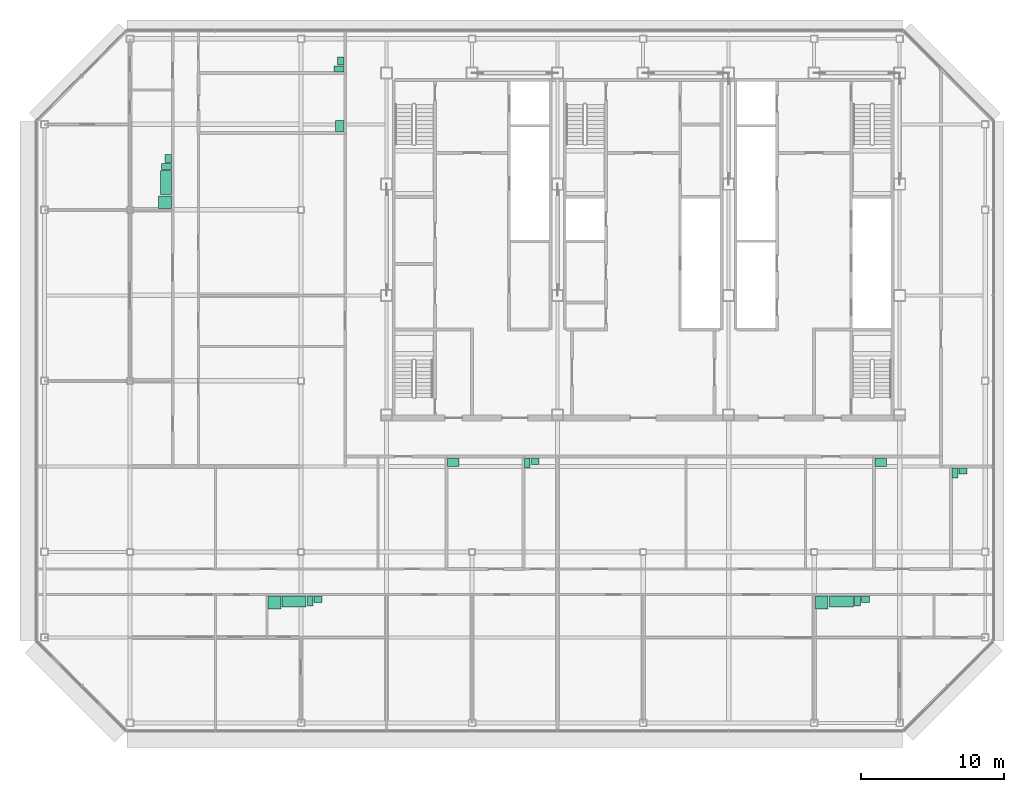
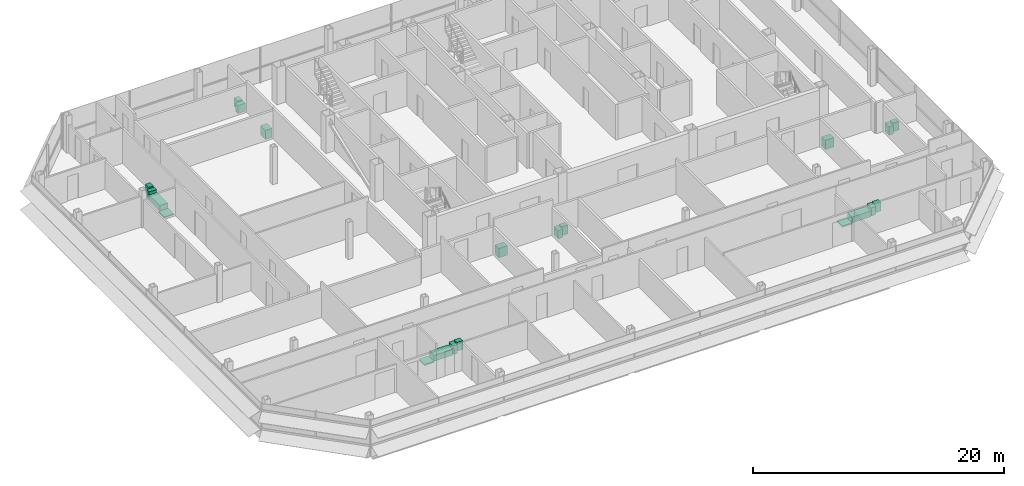
# One storey, part 27 of 27: 21 sanitary terminals.
"""IFC4 building model written with IfcOpenShell, lengths in metres."""

from ifc_helpers import new_model, si_unit, direction, frame, origin, origin_2d, place, context, subcontext, project, spatial, rectangle, extrude, element, save


model = new_model("IFC4")

# Units and contexts
model_context = context("Model", 3, precision=1e-05, world=origin(), true_north=direction((0.0, 1.0)))
body_context = subcontext(model_context, "Body", "Model", "MODEL_VIEW")
ifc_project = project(units=[si_unit("LENGTHUNIT", "METRE"), si_unit("AREAUNIT", "SQUARE_METRE"), si_unit("VOLUMEUNIT", "CUBIC_METRE"), si_unit("PLANEANGLEUNIT", "RADIAN"), si_unit("MASSUNIT", "GRAM", prefix="KILO")], contexts=[model_context])

# Site, building, storey
site_placement = place(None, origin())
site = spatial("IfcSite", under=ifc_project, at=site_placement, CompositionType="ELEMENT")
building_placement = place(site_placement, origin())
building = spatial("IfcBuilding", under=site, at=building_placement, Name="Sorahane Residences", CompositionType="ELEMENT")
storey_placement = place(building_placement, frame((0.0, 0.0, 312.39990234375)))
storey = spatial("IfcBuildingStorey", under=building, at=storey_placement, Name="L74", CompositionType="ELEMENT", Elevation=312.39990234375)

# Sanitary terminals
sanitary_terminal_1_placement = place(storey_placement, frame((-1.8701171875, 8.449951171875, 0.0), z_axis=(0.0, 0.0, 1.0), x_axis=(1.0, 0.0, 0.0)))
element("IfcSanitaryTerminal", 1, at=sanitary_terminal_1_placement, inside=storey, Name="Shower tray En-suite bathroom 74A", PredefinedType="SHOWER", context=body_context, shape_type="SweptSolid", body=[
    extrude(rectangle(XDim=0.89990234375, YDim=0.89990234375, at=origin_2d()), origin(), (0.0, 0.0, 1.0), 0.1201171875),
])
sanitary_terminal_2_placement = place(storey_placement, frame((-0.489990234375, 8.52490234375, 0.0), z_axis=(0.0, 0.0, 1.0), x_axis=(1.0, 0.0, 0.0)))
element("IfcSanitaryTerminal", 2, at=sanitary_terminal_2_placement, inside=storey, Name="Bath En-suite bathroom 74A", PredefinedType="BATH", context=body_context, shape_type="SweptSolid", body=[
    extrude(rectangle(XDim=1.699951171875, YDim=0.75, at=origin_2d()), origin(), (0.0, 0.0, 1.0), 0.56005859375),
])
sanitary_terminal_3_placement = place(storey_placement, frame((0.639892578125, 8.550048828125, 0.0), z_axis=(0.0, 0.0, 1.0), x_axis=(1.0, 0.0, 0.0)))
element("IfcSanitaryTerminal", 3, at=sanitary_terminal_3_placement, inside=storey, Name="WC pan En-suite bathroom 74A", PredefinedType="TOILETPAN", context=body_context, shape_type="SweptSolid", body=[
    extrude(rectangle(XDim=0.39990234375, YDim=0.699951171875, at=origin_2d()), origin(), (0.0, 0.0, 1.0), 0.800048828125),
])
sanitary_terminal_4_placement = place(storey_placement, frame((1.195068359375, 8.675048828125, 0.0), z_axis=(0.0, 0.0, 1.0), x_axis=(1.0, 0.0, 0.0)))
element("IfcSanitaryTerminal", 4, at=sanitary_terminal_4_placement, inside=storey, Name="Wash basin En-suite bathroom 74A", PredefinedType="WASHHANDBASIN", context=body_context, shape_type="SweptSolid", body=[
    extrude(rectangle(XDim=0.550048828125, YDim=0.449951171875, at=origin_2d()), origin(), (0.0, 0.0, 1.0), 0.85009765625),
])
sanitary_terminal_5_placement = place(storey_placement, frame((10.679931640625, 18.300048828125, 0.000244140625), z_axis=(0.0, 0.0, 1.0), x_axis=(1.0, 0.0, 0.0)))
element("IfcSanitaryTerminal", 5, at=sanitary_terminal_5_placement, inside=storey, Name="Kitchen sink Kitchen 74A", PredefinedType="SINK", context=body_context, shape_type="SweptSolid", body=[
    extrude(rectangle(XDim=0.800048828125, YDim=0.60009765625, at=origin_2d()), origin(), (0.0, 0.0, 1.0), 0.89990234375),
])
sanitary_terminal_6_placement = place(storey_placement, frame((15.8798828125, 18.25, 0.0), z_axis=(0.0, 0.0, 1.0), x_axis=(1.0, 0.0, 0.0)))
element("IfcSanitaryTerminal", 6, at=sanitary_terminal_6_placement, inside=storey, Name="WC pan Guest WC 74A", PredefinedType="TOILETPAN", context=body_context, shape_type="SweptSolid", body=[
    extrude(rectangle(XDim=0.39990234375, YDim=0.699951171875, at=origin_2d()), origin(), (0.0, 0.0, 1.0), 0.800048828125),
])
sanitary_terminal_7_placement = place(storey_placement, frame((16.43505859375, 18.375, 0.0), z_axis=(0.0, 0.0, 1.0), x_axis=(1.0, 0.0, 0.0)))
element("IfcSanitaryTerminal", 7, at=sanitary_terminal_7_placement, inside=storey, Name="Wash basin Guest WC 74A", PredefinedType="WASHHANDBASIN", context=body_context, shape_type="SweptSolid", body=[
    extrude(rectangle(XDim=0.550048828125, YDim=0.449951171875, at=origin_2d()), origin(), (0.0, 0.0, 1.0), 0.85009765625),
])
sanitary_terminal_8_placement = place(storey_placement, frame((36.530029296875, 8.449951171875, 0.0), z_axis=(0.0, 0.0, 1.0), x_axis=(1.0, 0.0, 0.0)))
element("IfcSanitaryTerminal", 8, at=sanitary_terminal_8_placement, inside=storey, Name="Shower tray En-suite bathroom 74B", PredefinedType="SHOWER", context=body_context, shape_type="SweptSolid", body=[
    extrude(rectangle(XDim=0.89990234375, YDim=0.89990234375, at=origin_2d()), origin(), (0.0, 0.0, 1.0), 0.1201171875),
])
sanitary_terminal_9_placement = place(storey_placement, frame((37.909912109375, 8.52490234375, 0.0), z_axis=(0.0, 0.0, 1.0), x_axis=(1.0, 0.0, 0.0)))
element("IfcSanitaryTerminal", 9, at=sanitary_terminal_9_placement, inside=storey, Name="Bath En-suite bathroom 74B", PredefinedType="BATH", context=body_context, shape_type="SweptSolid", body=[
    extrude(rectangle(XDim=1.699951171875, YDim=0.75, at=origin_2d()), origin(), (0.0, 0.0, 1.0), 0.56005859375),
])
sanitary_terminal_10_placement = place(storey_placement, frame((39.0400390625, 8.550048828125, 0.0), z_axis=(0.0, 0.0, 1.0), x_axis=(1.0, 0.0, 0.0)))
element("IfcSanitaryTerminal", 10, at=sanitary_terminal_10_placement, inside=storey, Name="WC pan En-suite bathroom 74B", PredefinedType="TOILETPAN", context=body_context, shape_type="SweptSolid", body=[
    extrude(rectangle(XDim=0.39990234375, YDim=0.699951171875, at=origin_2d()), origin(), (0.0, 0.0, 1.0), 0.800048828125),
])
sanitary_terminal_11_placement = place(storey_placement, frame((39.594970703125, 8.675048828125, 0.0), z_axis=(0.0, 0.0, 1.0), x_axis=(1.0, 0.0, 0.0)))
element("IfcSanitaryTerminal", 11, at=sanitary_terminal_11_placement, inside=storey, Name="Wash basin En-suite bathroom 74B", PredefinedType="WASHHANDBASIN", context=body_context, shape_type="SweptSolid", body=[
    extrude(rectangle(XDim=0.550048828125, YDim=0.449951171875, at=origin_2d()), origin(), (0.0, 0.0, 1.0), 0.85009765625),
])
sanitary_terminal_12_placement = place(storey_placement, frame((40.679931640625, 18.300048828125, 0.000244140625), z_axis=(0.0, 0.0, 1.0), x_axis=(1.0, 0.0, 0.0)))
element("IfcSanitaryTerminal", 12, at=sanitary_terminal_12_placement, inside=storey, Name="Kitchen sink Kitchen 74B", PredefinedType="SINK", context=body_context, shape_type="SweptSolid", body=[
    extrude(rectangle(XDim=0.800048828125, YDim=0.60009765625, at=origin_2d()), origin(), (0.0, 0.0, 1.0), 0.89990234375),
])
sanitary_terminal_13_placement = place(storey_placement, frame((45.8798828125, 17.550048828125, 0.0), z_axis=(0.0, 0.0, 1.0), x_axis=(1.0, 0.0, 0.0)))
element("IfcSanitaryTerminal", 13, at=sanitary_terminal_13_placement, inside=storey, Name="WC pan Guest WC 74B", PredefinedType="TOILETPAN", context=body_context, shape_type="SweptSolid", body=[
    extrude(rectangle(XDim=0.39990234375, YDim=0.699951171875, at=origin_2d()), origin(), (0.0, 0.0, 1.0), 0.800048828125),
])
sanitary_terminal_14_placement = place(storey_placement, frame((46.43505859375, 17.675048828125, 0.0), z_axis=(0.0, 0.0, 1.0), x_axis=(1.0, 0.0, 0.0)))
element("IfcSanitaryTerminal", 14, at=sanitary_terminal_14_placement, inside=storey, Name="Wash basin Guest WC 74B", PredefinedType="WASHHANDBASIN", context=body_context, shape_type="SweptSolid", body=[
    extrude(rectangle(XDim=0.550048828125, YDim=0.449951171875, at=origin_2d()), origin(), (0.0, 0.0, 1.0), 0.85009765625),
])
sanitary_terminal_15_placement = place(storey_placement, frame((-9.550048828125, 36.530029296875, 0.0), z_axis=(0.0, 0.0, 1.0), x_axis=(0.0, -1.0, 0.0)))
element("IfcSanitaryTerminal", 15, at=sanitary_terminal_15_placement, inside=storey, Name="Shower tray En-suite bathroom 74C", PredefinedType="SHOWER", context=body_context, shape_type="SweptSolid", body=[
    extrude(rectangle(XDim=0.89990234375, YDim=0.89990234375, at=origin_2d()), origin(), (0.0, 0.0, 1.0), 0.1201171875),
])
sanitary_terminal_16_placement = place(storey_placement, frame((-9.47509765625, 37.909912109375, 0.0), z_axis=(0.0, 0.0, 1.0), x_axis=(0.0, -1.0, 0.0)))
element("IfcSanitaryTerminal", 16, at=sanitary_terminal_16_placement, inside=storey, Name="Bath En-suite bathroom 74C", PredefinedType="BATH", context=body_context, shape_type="SweptSolid", body=[
    extrude(rectangle(XDim=1.699951171875, YDim=0.75, at=origin_2d()), origin(), (0.0, 0.0, 1.0), 0.56005859375),
])
sanitary_terminal_17_placement = place(storey_placement, frame((-9.449951171875, 39.0400390625, 0.0), z_axis=(0.0, 0.0, 1.0), x_axis=(0.0, -1.0, 0.0)))
element("IfcSanitaryTerminal", 17, at=sanitary_terminal_17_placement, inside=storey, Name="WC pan En-suite bathroom 74C", PredefinedType="TOILETPAN", context=body_context, shape_type="SweptSolid", body=[
    extrude(rectangle(XDim=0.39990234375, YDim=0.699951171875, at=origin_2d()), origin(), (0.0, 0.0, 1.0), 0.800048828125),
])
sanitary_terminal_18_placement = place(storey_placement, frame((-9.324951171875, 39.594970703125, 0.0), z_axis=(0.0, 0.0, 1.0), x_axis=(0.0, -1.0, 0.0)))
element("IfcSanitaryTerminal", 18, at=sanitary_terminal_18_placement, inside=storey, Name="Wash basin En-suite bathroom 74C", PredefinedType="WASHHANDBASIN", context=body_context, shape_type="SweptSolid", body=[
    extrude(rectangle(XDim=0.550048828125, YDim=0.449951171875, at=origin_2d()), origin(), (0.0, 0.0, 1.0), 0.85009765625),
])
sanitary_terminal_19_placement = place(storey_placement, frame((2.699951171875, 41.8798828125, 0.000244140625), z_axis=(0.0, 0.0, 1.0), x_axis=(0.0, -1.0, 0.0)))
element("IfcSanitaryTerminal", 19, at=sanitary_terminal_19_placement, inside=storey, Name="Kitchen sink Kitchen 74C", PredefinedType="SINK", context=body_context, shape_type="SweptSolid", body=[
    extrude(rectangle(XDim=0.800048828125, YDim=0.60009765625, at=origin_2d()), origin(), (0.0, 0.0, 1.0), 0.89990234375),
])
sanitary_terminal_20_placement = place(storey_placement, frame((2.64990234375, 45.8798828125, 0.0), z_axis=(0.0, 0.0, 1.0), x_axis=(0.0, -1.0, 0.0)))
element("IfcSanitaryTerminal", 20, at=sanitary_terminal_20_placement, inside=storey, Name="WC pan Powder room 74C", PredefinedType="TOILETPAN", context=body_context, shape_type="SweptSolid", body=[
    extrude(rectangle(XDim=0.39990234375, YDim=0.699951171875, at=origin_2d()), origin(), (0.0, 0.0, 1.0), 0.800048828125),
])
sanitary_terminal_21_placement = place(storey_placement, frame((2.77490234375, 46.43505859375, 0.0), z_axis=(0.0, 0.0, 1.0), x_axis=(0.0, -1.0, 0.0)))
element("IfcSanitaryTerminal", 21, at=sanitary_terminal_21_placement, inside=storey, Name="Wash basin Powder room 74C", PredefinedType="WASHHANDBASIN", context=body_context, shape_type="SweptSolid", body=[
    extrude(rectangle(XDim=0.550048828125, YDim=0.449951171875, at=origin_2d()), origin(), (0.0, 0.0, 1.0), 0.85009765625),
])

save(model, "model.ifc")
